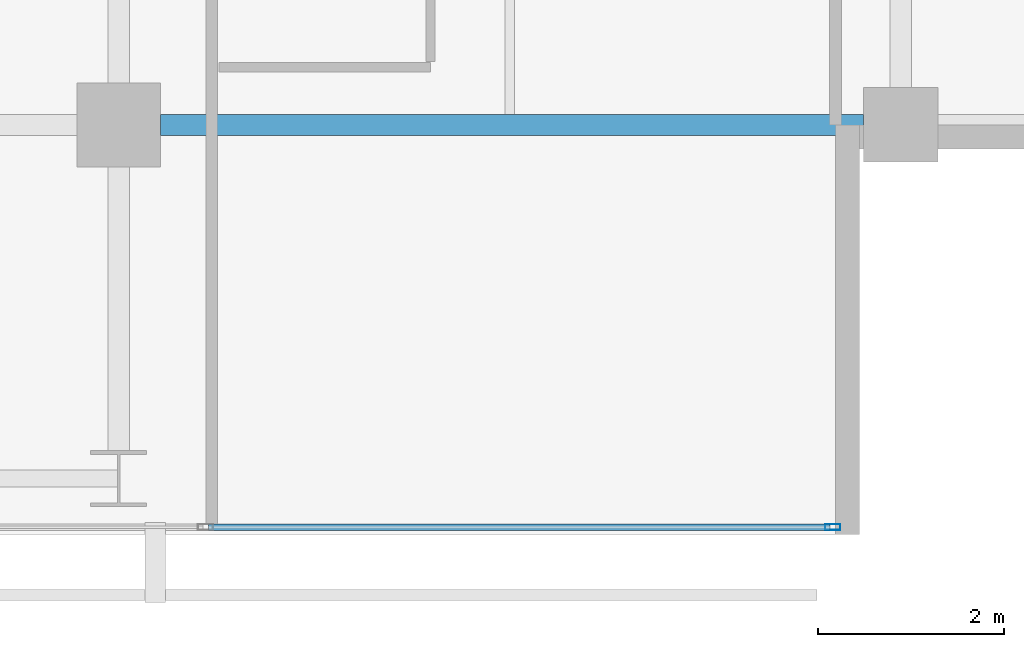
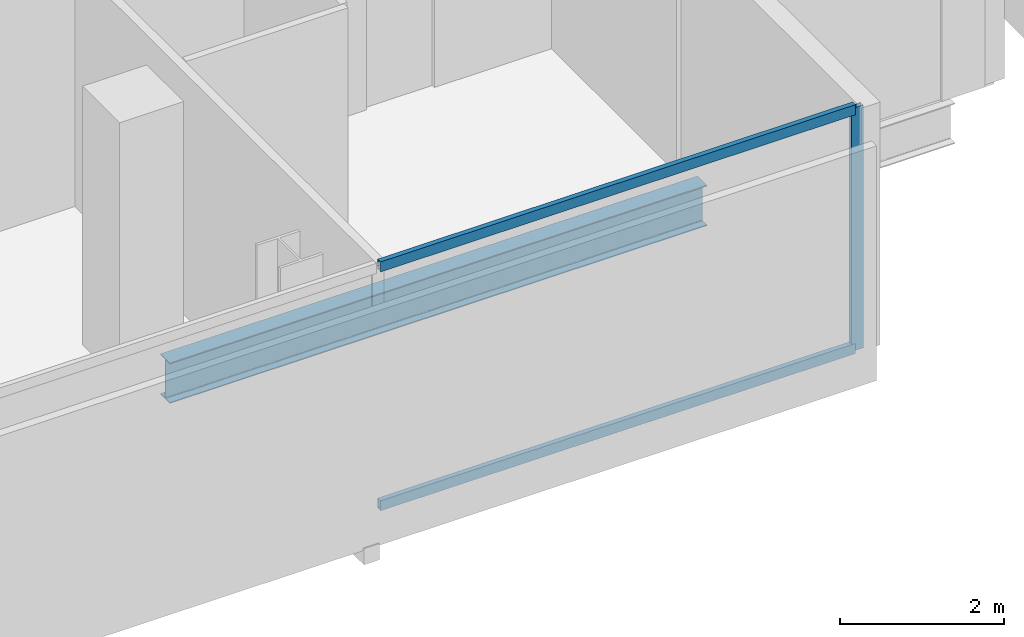
# One storey, part 13 of 33: 3 members, 1 beam, 1 element without a shape of its own.
"""IFC4 building model written with IfcOpenShell, lengths in metres."""

from ifc_helpers import new_model, si_unit, direction, frame, origin, origin_2d, place, context, subcontext, project, spatial, hollow_rectangle, i_section, extrude, material, layer, layer_set, material_profile, profile_set, type_object, element, aggregate, save


model = new_model("IFC4")

# Units and contexts
model_context = context("Model", 3, precision=1e-05, world=origin(), true_north=direction((0.0, 1.0)))
body_context = subcontext(model_context, "Body", "Model", "MODEL_VIEW")
ifc_project = project(units=[si_unit("LENGTHUNIT", "METRE"), si_unit("AREAUNIT", "SQUARE_METRE"), si_unit("VOLUMEUNIT", "CUBIC_METRE"), si_unit("PLANEANGLEUNIT", "RADIAN"), si_unit("MASSUNIT", "GRAM", prefix="KILO")], contexts=[model_context])

# Site, building, storey
site_placement = place(None, origin())
site = spatial("IfcSite", under=ifc_project, at=site_placement, CompositionType="ELEMENT")
building_placement = place(site_placement, origin())
building = spatial("IfcBuilding", under=site, at=building_placement, Name="Maruvema Waterfront Hotel and Observation Tower", CompositionType="ELEMENT")
storey_placement = place(building_placement, frame((0.0, 0.0, 158.199951171875)))
storey = spatial("IfcBuildingStorey", under=building, at=storey_placement, Name="L38", CompositionType="ELEMENT", Elevation=158.199951171875)

# Curtain wall, members
ifc_material_1 = material(Name="Anodised bronze aluminium and solar-control low-E IGU", Category="aluminium")
ifc_layer = layer(ifc_material_1, 0.159912109375, Name="Zone 2 Amber Inner Thermal Curtain Wall System CW-03")
ifc_layer_set = layer_set([ifc_layer], Name="Anodised bronze aluminium and solar-control low-E IGU")
curtain_wall_type = type_object("IfcCurtainWallType", Name="Zone 2 Amber Inner Thermal Curtain Wall System CW-03", PredefinedType="USERDEFINED", material=ifc_layer_set)
curtain_wall_placement = place(storey_placement, origin())
curtain_wall = element("IfcCurtainWall", 1, at=curtain_wall_placement, inside=storey, type_object=curtain_wall_type, Name="L38 Curtain Wall CW-L38-S", ObjectType="UNITISED CURTAIN WALL", PredefinedType="USERDEFINED")
ifc_material_2 = material(Name="Anodised architectural bronze aluminium", Category="aluminium")
ifc_material_profile_1 = material_profile(ifc_material_2, hollow_rectangle(XDim=0.070068359375, YDim=0.14990234375, WallThickness=0.00390625, at=origin_2d()), Name="ALU-T70x150")
ifc_profile_set_1 = profile_set([ifc_material_profile_1], Name="Anodised architectural bronze aluminium")
member_type_1 = type_object("IfcMemberType", Name="Curtain Wall Horizontal Transom ALU-T70x150", PredefinedType="USERDEFINED", material=ifc_profile_set_1)
member_1_placement = place(storey_placement, frame((51.36328125, 4.679931640625, 0.030029296875), z_axis=(1.0, 0.0, 0.0), x_axis=(0.0, 1.0, 0.0)))
member_1 = element("IfcMember", 2, at=member_1_placement, type_object=member_type_1, Name="CW-03 transom 6.1", ObjectType="TRANSOM", PredefinedType="USERDEFINED", context=body_context, shape_type="SweptSolid", body=[
    extrude(hollow_rectangle(XDim=0.070068359375, YDim=0.14990234375, WallThickness=0.00390625, at=origin_2d()), origin(), (0.0, 0.0, 1.0), 6.6767578125),
])
member_2_placement = place(storey_placement, frame((51.36328125, 4.679931640625, 3.580078125), z_axis=(1.0, 0.0, 0.0), x_axis=(0.0, 1.0, 0.0)))
member_2 = element("IfcMember", 3, at=member_2_placement, type_object=member_type_1, Name="CW-03 transom 6.2", ObjectType="TRANSOM", PredefinedType="USERDEFINED", context=body_context, shape_type="SweptSolid", body=[
    extrude(hollow_rectangle(XDim=0.070068359375, YDim=0.14990234375, WallThickness=0.00390625, at=origin_2d()), origin(), (0.0, 0.0, 1.0), 6.6767578125),
])
ifc_material_3 = material(Name="Anodised architectural bronze aluminium", Category="aluminium")
ifc_material_profile_2 = material_profile(ifc_material_3, hollow_rectangle(XDim=0.06494140625, YDim=0.1650390625, WallThickness=0.00390625, at=origin_2d()), Name="ALU-M65x165")
ifc_profile_set_2 = profile_set([ifc_material_profile_2], Name="Anodised architectural bronze aluminium")
member_type_2 = type_object("IfcMemberType", Name="Curtain Wall Primary Mullion ALU-M65x165", PredefinedType="MULLION", material=ifc_profile_set_2)
member_3_placement = place(storey_placement, frame((58.070068359375, 4.679931640625, 0.0), z_axis=(0.0, 0.0, 1.0), x_axis=(0.0, 1.0, 0.0)))
member_3 = element("IfcMember", 4, at=member_3_placement, type_object=member_type_2, Name="CW-03 mullion 7", PredefinedType="MULLION", context=body_context, shape_type="SweptSolid", body=[
    extrude(hollow_rectangle(XDim=0.06494140625, YDim=0.1650390625, WallThickness=0.00390625, at=origin_2d()), origin(), (0.0, 0.0, 1.0), 3.610107421875),
])
aggregate(curtain_wall, [member_3, member_1, member_2])

# Beam
ifc_material_4 = material(Name="Steel ASTM A572 Grade 50", Category="steel")
ifc_material_profile_3 = material_profile(ifc_material_4, i_section(OverallWidth=0.22802734375, OverallDepth=0.60302734375, WebThickness=0.010498046875, FlangeThickness=0.014892578125, FilletRadius=0.01806640625, at=origin_2d()), Name="W610x101.0")
ifc_profile_set_3 = profile_set([ifc_material_profile_3], Name="Steel ASTM A572 Grade 50")
beam_type = type_object("IfcBeamType", Name="Primary Floor Girder W610x101.0", PredefinedType="BEAM", material=ifc_profile_set_3)
beam_placement = place(storey_placement, frame((50.85009765625, 9.0, -0.54150390625), z_axis=(1.0, 0.0, 0.0), x_axis=(0.0, 1.0, 0.0)))
element("IfcBeam", 5, at=beam_placement, inside=storey, type_object=beam_type, Name="L38 Floor Girder EW-09", PredefinedType="BEAM", context=body_context, shape_type="SweptSolid", body=[
    extrude(i_section(OverallWidth=0.22802734375, OverallDepth=0.60302734375, WebThickness=0.010498046875, FlangeThickness=0.014892578125, FilletRadius=0.01806640625, at=origin_2d()), origin(), (0.0, 0.0, 1.0), 7.5498046875),
])

save(model, "model.ifc")
